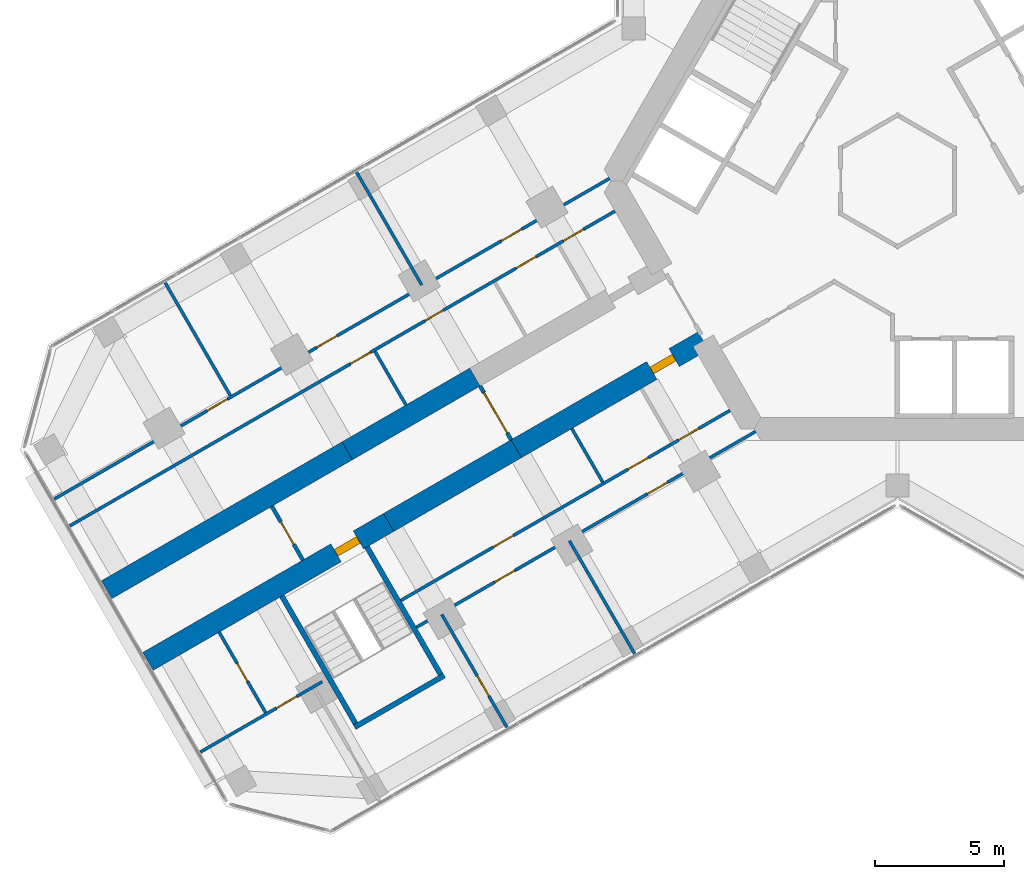
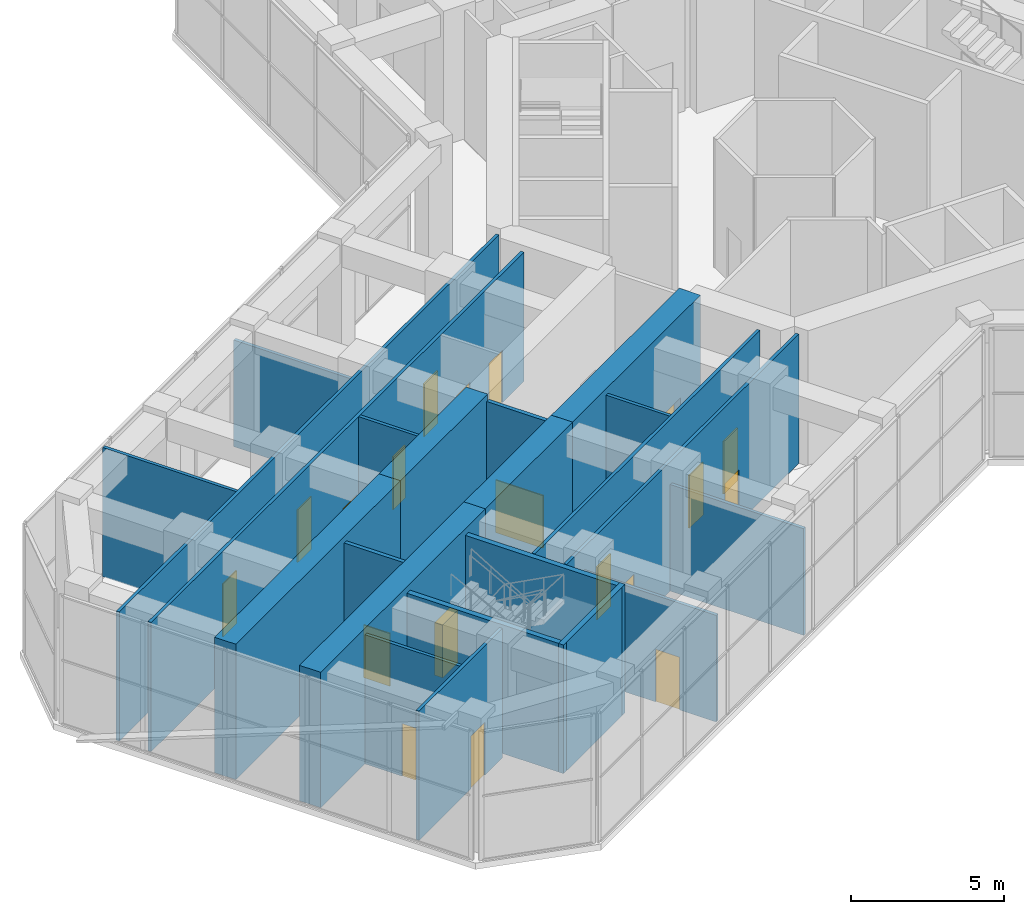
# One storey, part 14 of 20: 22 walls, 19 doors, 19 openings.
"""IFC4 building model written with IfcOpenShell, lengths in metres."""

from ifc_helpers import new_model, si_unit, direction, frame, frame_2d, origin, place, context, subcontext, project, spatial, rectangle, extrude, material, layer, layer_set, type_object, element, fill, save


model = new_model("IFC4")

# Units and contexts
model_context = context("Model", 3, precision=1e-05, world=origin(), true_north=direction((0.0, 1.0)))
body_context = subcontext(model_context, "Body", "Model", "MODEL_VIEW")
ifc_project = project(units=[si_unit("LENGTHUNIT", "METRE"), si_unit("AREAUNIT", "SQUARE_METRE"), si_unit("VOLUMEUNIT", "CUBIC_METRE"), si_unit("PLANEANGLEUNIT", "RADIAN"), si_unit("MASSUNIT", "GRAM", prefix="KILO")], contexts=[model_context])

# Site, building, storey
site_placement = place(None, origin())
site = spatial("IfcSite", under=ifc_project, at=site_placement, CompositionType="ELEMENT")
building_placement = place(site_placement, origin())
building = spatial("IfcBuilding", under=site, at=building_placement, Name="Kosmar Iwan School Tower", CompositionType="ELEMENT")
storey_placement = place(building_placement, frame((0.0, 0.0, 152.60009765625)))
storey = spatial("IfcBuildingStorey", under=building, at=storey_placement, Name="L38", CompositionType="ELEMENT", Elevation=152.60009765625)

# Wall, opening, door
ifc_material_1 = material(Name="Concrete C50/60", Category="concrete")
ifc_layer_1 = layer(ifc_material_1, 0.800048828125)
ifc_layer_set_1 = layer_set([ifc_layer_1], Name="Corridor buttress wall 800")
wall_type_1 = type_object("IfcWallType", Name="Corridor buttress wall 800", PredefinedType="SHEAR", material=ifc_layer_set_1)
wall_1_placement = place(storey_placement, frame((-7.513916015625, -6.185546875, 0.0), z_axis=(0.0, 0.0, 1.0), x_axis=(-0.866019549707, -0.500010139422, 0.0)))
wall_1 = element("IfcWall", 1, at=wall_1_placement, inside=storey, type_object=wall_type_1, Name="Corridor wall BL", PredefinedType="SHEAR", context=body_context, shape_type="SweptSolid", body=[
    extrude(rectangle(XDim=8.349853515625, YDim=0.800048828125, at=frame_2d((4.1748046875, 0.0))), origin(), (0.0, 0.0, 1.0), 5.39990234375),
])
opening_1_placement = place(wall_1_placement, frame((1.300048828125, 0.0, 0.0)))
opening_1 = element("IfcOpeningElement", 2, at=opening_1_placement, cuts=wall_1, Name="Opening D1", PredefinedType="OPENING", context=body_context, shape_type="SweptSolid", body=[
    extrude(rectangle(XDim=1.0, YDim=2.10009765625, at=frame_2d((0.5, 1.050048828125))), frame((0.0, 0.412109375, 0.0), z_axis=(0.0, -1.0, 0.0), x_axis=(1.0, 0.0, 0.0)), (0.0, 0.0, 1.0), 0.823974609375),
])
ifc_material_2 = material(Name="Timber fire door in steel frame", Category="steel")
door_type_1 = type_object("IfcDoorType", Name="Flat entrance door 1000x2100", OperationType="SINGLE_SWING_LEFT", PredefinedType="DOOR", material=ifc_material_2)
door_1_placement = place(opening_1_placement, origin())
door_1 = element("IfcDoor", 3, at=door_1_placement, inside=storey, type_object=door_type_1, Name="Flat L38-BL1 entrance door", OperationType="SINGLE_SWING_RIGHT", OverallHeight=2.10009765625, OverallWidth=1.0, PredefinedType="DOOR", context=body_context, shape_type="SweptSolid", body=[
    extrude(rectangle(XDim=1.0, YDim=2.10009765625, at=frame_2d((0.5, 1.050048828125))), frame((0.0, 0.14990234375, 0.0), z_axis=(0.0, -1.0, 0.0), x_axis=(1.0, 0.0, 0.0)), (0.0, 0.0, 1.0), 0.300048828125),
])
fill(opening_1, door_1)

# Wall
wall_2_placement = place(storey_placement, frame((-14.7451171875, -10.360595703125, 0.0), z_axis=(0.0, 0.0, 1.0), x_axis=(-0.866015111908, -0.50001782563, 0.0)))
element("IfcWall", 4, at=wall_2_placement, inside=storey, type_object=wall_type_1, Name="Corridor wall BL bay 2", PredefinedType="SHEAR", context=body_context, shape_type="SweptSolid", body=[
    extrude(rectangle(XDim=5.699951171875, YDim=0.800048828125, at=frame_2d((2.85009765625, 0.0))), origin(), (0.0, 0.0, 1.0), 5.39990234375),
])

# Wall, opening, door
wall_3_placement = place(storey_placement, frame((-19.681396484375, -13.210693359375, 0.0), z_axis=(0.0, 0.0, 1.0), x_axis=(-0.866028186671, -0.499995179869, 0.0)))
wall_3 = element("IfcWall", 5, at=wall_3_placement, inside=storey, type_object=wall_type_1, Name="Corridor wall BL bay 3", PredefinedType="SHEAR", context=body_context, shape_type="SweptSolid", body=[
    extrude(rectangle(XDim=10.7451171875, YDim=0.800048828125, at=frame_2d((5.37255859375, 0.0))), origin(), (0.0, 0.0, 1.0), 5.39990234375),
])
opening_2_placement = place(wall_3_placement, frame((1.35009765625, 0.0, 0.0)))
opening_2 = element("IfcOpeningElement", 6, at=opening_2_placement, cuts=wall_3, Name="Opening D6", PredefinedType="OPENING", context=body_context, shape_type="SweptSolid", body=[
    extrude(rectangle(XDim=1.0, YDim=2.10009765625, at=frame_2d((0.5, 1.050048828125))), frame((0.0, 0.412109375, 0.0), z_axis=(0.0, -1.0, 0.0), x_axis=(1.0, 0.0, 0.0)), (0.0, 0.0, 1.0), 0.823974609375),
])
ifc_material_3 = material(Name="Steel fire door", Category="steel")
door_type_2 = type_object("IfcDoorType", Name="Stair door 1000x2100", OperationType="SINGLE_SWING_LEFT", PredefinedType="DOOR", material=ifc_material_3)
door_2_placement = place(opening_2_placement, origin())
door_2 = element("IfcDoor", 7, at=door_2_placement, inside=storey, type_object=door_type_2, Name="Stair WS2 door L38", OperationType="SINGLE_SWING_LEFT", OverallHeight=2.10009765625, OverallWidth=1.0, PredefinedType="DOOR", context=body_context, shape_type="SweptSolid", body=[
    extrude(rectangle(XDim=1.0, YDim=2.10009765625, at=frame_2d((0.5, 1.050048828125))), frame((0.0, 0.14990234375, 0.0), z_axis=(0.0, -1.0, 0.0), x_axis=(1.0, 0.0, 0.0)), (0.0, 0.0, 1.0), 0.300048828125),
])
fill(opening_2, door_2)

# Walls
wall_4_placement = place(storey_placement, frame((-16.34521484375, -7.58935546875, 0.0), z_axis=(0.0, 0.0, 1.0), x_axis=(-0.866015111908, -0.50001782563, 0.0)))
element("IfcWall", 8, at=wall_4_placement, inside=storey, type_object=wall_type_1, Name="Corridor wall BR bay 2", PredefinedType="SHEAR", context=body_context, shape_type="SweptSolid", body=[
    extrude(rectangle(XDim=5.699951171875, YDim=0.800048828125, at=frame_2d((2.85009765625, 0.0))), origin(), (0.0, 0.0, 1.0), 5.39990234375),
])
wall_5_placement = place(storey_placement, frame((-21.281494140625, -10.439453125, 0.0), z_axis=(0.0, 0.0, 1.0), x_axis=(-0.866032345022, -0.499987977232, 0.0)))
element("IfcWall", 9, at=wall_5_placement, inside=storey, type_object=wall_type_1, Name="Corridor wall BR bay 3", PredefinedType="SHEAR", context=body_context, shape_type="SweptSolid", body=[
    extrude(rectangle(XDim=10.744873046875, YDim=0.800048828125, at=frame_2d((5.37255859375, 0.0))), origin(), (0.0, 0.0, 1.0), 5.39990234375),
])

# Wall, opening, door
ifc_material_4 = material(Name="Gypsum board on steel studs, fire-rated", Category="steel")
ifc_layer_2 = layer(ifc_material_4, 0.14990234375)
ifc_layer_set_2 = layer_set([ifc_layer_2], Name="Corridor end wall 150")
wall_type_2 = type_object("IfcWallType", Name="Corridor end wall 150", PredefinedType="PARTITIONING", material=ifc_layer_set_2)
wall_6_placement = place(storey_placement, frame((-24.19921875, -12.585693359375, 0.0), z_axis=(0.0, 0.0, 1.0), x_axis=(0.499957262057, -0.866050077142, 0.0)))
wall_6 = element("IfcWall", 10, at=wall_6_placement, inside=storey, type_object=wall_type_2, Name="Partition L38-B-CE", PredefinedType="PARTITIONING", context=body_context, shape_type="SweptSolid", body=[
    extrude(rectangle(XDim=2.400146484375, YDim=0.14990234375, at=frame_2d((1.2001953125, 0.0))), origin(), (0.0, 0.0, 1.0), 5.14990234375),
])
opening_3_placement = place(wall_6_placement, frame((0.699951171875, 0.0, 0.0)))
opening_3 = element("IfcOpeningElement", 11, at=opening_3_placement, cuts=wall_6, Name="Opening D13", PredefinedType="OPENING", context=body_context, shape_type="SweptSolid", body=[
    extrude(rectangle(XDim=1.0, YDim=2.10009765625, at=frame_2d((0.5, 1.050048828125))), frame((0.0, 0.0869140625, 0.0), z_axis=(0.0, -1.0, 0.0), x_axis=(1.0, 0.0, 0.0)), (0.0, 0.0, 1.0), 0.173828125),
])
ifc_material_5 = material(Name="Timber fire door with vision panel", Category="wood")
door_type_3 = type_object("IfcDoorType", Name="Corridor end door 1000x2100", OperationType="SINGLE_SWING_LEFT", PredefinedType="DOOR", material=ifc_material_5)
door_3_placement = place(opening_3_placement, origin())
door_3 = element("IfcDoor", 12, at=door_3_placement, inside=storey, type_object=door_type_3, Name="Laundry and drying room door L38-B", OperationType="SINGLE_SWING_RIGHT", OverallHeight=2.10009765625, OverallWidth=1.0, PredefinedType="DOOR", context=body_context, shape_type="SweptSolid", body=[
    extrude(rectangle(XDim=1.0, YDim=2.10009765625, at=frame_2d((0.5, 1.050048828125))), frame((0.0, 0.02490234375, 0.0), z_axis=(0.0, -1.0, 0.0), x_axis=(1.0, 0.0, 0.0)), (0.0, 0.0, 1.0), 0.050048828125),
])
fill(opening_3, door_3)

wall_7_placement = place(storey_placement, frame((-16.145263671875, -7.935791015625, 0.0), z_axis=(0.0, 0.0, 1.0), x_axis=(0.500077600433, -0.865980596518, 0.0)))
wall_7 = element("IfcWall", 13, at=wall_7_placement, inside=storey, type_object=wall_type_2, Name="Partition L38-B-HW", PredefinedType="PARTITIONING", context=body_context, shape_type="SweptSolid", body=[
    extrude(rectangle(XDim=2.39990234375, YDim=0.14990234375, at=frame_2d((1.199951171875, 0.0))), origin(), (0.0, 0.0, 1.0), 5.14990234375),
])
opening_4_placement = place(wall_7_placement, frame((0.300048828125, 0.0, 0.0)))
opening_4 = element("IfcOpeningElement", 14, at=opening_4_placement, cuts=wall_7, Name="Opening D9", PredefinedType="OPENING", context=body_context, shape_type="SweptSolid", body=[
    extrude(rectangle(XDim=1.800048828125, YDim=2.10009765625, at=frame_2d((0.89990234375, 1.050048828125))), frame((0.0, 0.0869140625, 0.0), z_axis=(0.0, -1.0, 0.0), x_axis=(1.0, 0.0, 0.0)), (0.0, 0.0, 1.0), 0.173828125),
])
ifc_material_6 = material(Name="Steel framed glazed smoke door", Category="steel")
door_type_4 = type_object("IfcDoorType", Name="Corridor smoke door pair 1800x2100", OperationType="DOUBLE_DOOR_DOUBLE_SWING", PredefinedType="DOOR", material=ifc_material_6)
door_4_placement = place(opening_4_placement, origin())
door_4 = element("IfcDoor", 15, at=door_4_placement, inside=storey, type_object=door_type_4, Name="Entrance vestibule smoke doors L38-B", OperationType="DOUBLE_DOOR_DOUBLE_SWING", OverallHeight=2.10009765625, OverallWidth=1.800048828125, PredefinedType="DOOR", context=body_context, shape_type="SweptSolid", body=[
    extrude(rectangle(XDim=1.800048828125, YDim=2.10009765625, at=frame_2d((0.89990234375, 1.050048828125))), frame((0.0, 0.02490234375, 0.0), z_axis=(0.0, -1.0, 0.0), x_axis=(1.0, 0.0, 0.0)), (0.0, 0.0, 1.0), 0.050048828125),
])
fill(opening_4, door_4)

# Wall, openings, doors
ifc_material_7 = material(Name="Gypsum board on steel studs", Category="steel")
ifc_layer_3 = layer(ifc_material_7, 0.1201171875)
ifc_layer_set_3 = layer_set([ifc_layer_3], Name="Dwelling partition 120")
wall_type_3 = type_object("IfcWallType", Name="Dwelling partition 120", PredefinedType="PARTITIONING", material=ifc_layer_set_3)
wall_8_placement = place(storey_placement, frame((-6.478515625, -8.87890625, 0.0), z_axis=(0.0, 0.0, 1.0), x_axis=(-0.866032090307, -0.499988418424, 0.0)))
wall_8 = element("IfcWall", 16, at=wall_8_placement, inside=storey, type_object=wall_type_3, Name="Partition L38-BL1-W1", PredefinedType="PARTITIONING", context=body_context, shape_type="SweptSolid", body=[
    extrude(rectangle(XDim=14.699951171875, YDim=0.1201171875, at=frame_2d((7.35009765625, 0.0))), origin(), (0.0, 0.0, 1.0), 5.14990234375),
])
opening_5_placement = place(wall_8_placement, frame((1.39990234375, 0.0, 0.0)))
opening_5 = element("IfcOpeningElement", 17, at=opening_5_placement, cuts=wall_8, Name="Opening D2", PredefinedType="OPENING", context=body_context, shape_type="SweptSolid", body=[
    extrude(rectangle(XDim=0.89990234375, YDim=2.10009765625, at=frame_2d((0.449951171875, 1.050048828125))), frame((0.0, 0.072021484375, 0.0), z_axis=(0.0, -1.0, 0.0), x_axis=(1.0, 0.0, 0.0)), (0.0, 0.0, 1.0), 0.14404296875),
])
opening_6_placement = place(wall_8_placement, frame((3.64990234375, 0.0, 0.0)))
opening_6 = element("IfcOpeningElement", 18, at=opening_6_placement, cuts=wall_8, Name="Opening D2", PredefinedType="OPENING", context=body_context, shape_type="SweptSolid", body=[
    extrude(rectangle(XDim=0.89990234375, YDim=2.10009765625, at=frame_2d((0.449951171875, 1.050048828125))), frame((0.0, 0.072021484375, 0.0), z_axis=(0.0, -1.0, 0.0), x_axis=(1.0, 0.0, 0.0)), (0.0, 0.0, 1.0), 0.14404296875),
])
opening_7_placement = place(wall_8_placement, frame((9.675048828125, 0.0, 0.0)))
opening_7 = element("IfcOpeningElement", 19, at=opening_7_placement, cuts=wall_8, Name="Opening D2", PredefinedType="OPENING", context=body_context, shape_type="SweptSolid", body=[
    extrude(rectangle(XDim=0.89990234375, YDim=2.10009765625, at=frame_2d((0.449951171875, 1.050048828125))), frame((0.0, 0.072021484375, 0.0), z_axis=(0.0, -1.0, 0.0), x_axis=(1.0, 0.0, 0.0)), (0.0, 0.0, 1.0), 0.14404296875),
])
ifc_material_8 = material(Name="Timber door in timber frame", Category="wood")
door_type_5 = type_object("IfcDoorType", Name="Internal door 900x2100", OperationType="SINGLE_SWING_LEFT", PredefinedType="DOOR", material=ifc_material_8)
door_5_placement = place(opening_5_placement, frame((0.89990234375, 0.0, 0.0), z_axis=(0.0, 0.0, 1.0), x_axis=(-1.0, 0.0, 0.0)))
door_5 = element("IfcDoor", 20, at=door_5_placement, inside=storey, type_object=door_type_5, Name="Entrance hall door L38-BL1-S1", OperationType="SINGLE_SWING_RIGHT", OverallHeight=2.10009765625, OverallWidth=0.89990234375, PredefinedType="DOOR", context=body_context, shape_type="SweptSolid", body=[
    extrude(rectangle(XDim=0.89990234375, YDim=2.10009765625, at=frame_2d((0.449951171875, 1.050048828125))), frame((0.0, 0.02490234375, 0.0), z_axis=(0.0, -1.0, 0.0), x_axis=(1.0, 0.0, 0.0)), (0.0, 0.0, 1.0), 0.050048828125),
])
fill(opening_5, door_5)
door_6_placement = place(opening_6_placement, origin())
door_6 = element("IfcDoor", 21, at=door_6_placement, inside=storey, type_object=door_type_5, Name="Garden store door L38-BL1-S2", OperationType="SINGLE_SWING_LEFT", OverallHeight=2.10009765625, OverallWidth=0.89990234375, PredefinedType="DOOR", context=body_context, shape_type="SweptSolid", body=[
    extrude(rectangle(XDim=0.89990234375, YDim=2.10009765625, at=frame_2d((0.449951171875, 1.050048828125))), frame((0.0, 0.02490234375, 0.0), z_axis=(0.0, -1.0, 0.0), x_axis=(1.0, 0.0, 0.0)), (0.0, 0.0, 1.0), 0.050048828125),
])
fill(opening_6, door_6)
door_7_placement = place(opening_7_placement, origin())
door_7 = element("IfcDoor", 22, at=door_7_placement, inside=storey, type_object=door_type_5, Name="Accessible toilet door L38-BL1-S3", OperationType="SINGLE_SWING_RIGHT", OverallHeight=2.10009765625, OverallWidth=0.89990234375, PredefinedType="DOOR", context=body_context, shape_type="SweptSolid", body=[
    extrude(rectangle(XDim=0.89990234375, YDim=2.10009765625, at=frame_2d((0.449951171875, 1.050048828125))), frame((0.0, 0.02490234375, 0.0), z_axis=(0.0, -1.0, 0.0), x_axis=(1.0, 0.0, 0.0)), (0.0, 0.0, 1.0), 0.050048828125),
])
fill(opening_7, door_7)

wall_9_placement = place(storey_placement, frame((-5.48876953125, -9.693115234375, 0.0), z_axis=(0.0, 0.0, 1.0), x_axis=(-0.866028061085, -0.499995397393, 0.0)))
wall_9 = element("IfcWall", 23, at=wall_9_placement, inside=storey, type_object=wall_type_3, Name="Partition L38-BL1-W2", PredefinedType="PARTITIONING", context=body_context, shape_type="SweptSolid", body=[
    extrude(rectangle(XDim=15.150146484375, YDim=0.1201171875, at=frame_2d((7.5751953125, 0.0))), origin(), (0.0, 0.0, 1.0), 5.14990234375),
])
opening_8_placement = place(wall_9_placement, frame((3.925048828125, 0.0, 0.0)))
opening_8 = element("IfcOpeningElement", 24, at=opening_8_placement, cuts=wall_9, Name="Opening D2", PredefinedType="OPENING", context=body_context, shape_type="SweptSolid", body=[
    extrude(rectangle(XDim=0.89990234375, YDim=2.10009765625, at=frame_2d((0.449951171875, 1.050048828125))), frame((0.0, 0.072021484375, 0.0), z_axis=(0.0, -1.0, 0.0), x_axis=(1.0, 0.0, 0.0)), (0.0, 0.0, 1.0), 0.14404296875),
])
opening_9_placement = place(wall_9_placement, frame((10.75, 0.0, 0.0)))
opening_9 = element("IfcOpeningElement", 25, at=opening_9_placement, cuts=wall_9, Name="Opening D2", PredefinedType="OPENING", context=body_context, shape_type="SweptSolid", body=[
    extrude(rectangle(XDim=0.89990234375, YDim=2.10009765625, at=frame_2d((0.449951171875, 1.050048828125))), frame((0.0, 0.072021484375, 0.0), z_axis=(0.0, -1.0, 0.0), x_axis=(1.0, 0.0, 0.0)), (0.0, 0.0, 1.0), 0.14404296875),
])
door_8_placement = place(opening_8_placement, origin())
door_8 = element("IfcDoor", 26, at=door_8_placement, inside=storey, type_object=door_type_5, Name="Winter garden door L38-BL1-F1", OperationType="SINGLE_SWING_LEFT", OverallHeight=2.10009765625, OverallWidth=0.89990234375, PredefinedType="DOOR", context=body_context, shape_type="SweptSolid", body=[
    extrude(rectangle(XDim=0.89990234375, YDim=2.10009765625, at=frame_2d((0.449951171875, 1.050048828125))), frame((0.0, 0.02490234375, 0.0), z_axis=(0.0, -1.0, 0.0), x_axis=(1.0, 0.0, 0.0)), (0.0, 0.0, 1.0), 0.050048828125),
])
fill(opening_8, door_8)
door_9_placement = place(opening_9_placement, origin())
door_9 = element("IfcDoor", 27, at=door_9_placement, inside=storey, type_object=door_type_5, Name="Children's play room door L38-BL1-F2", OperationType="SINGLE_SWING_RIGHT", OverallHeight=2.10009765625, OverallWidth=0.89990234375, PredefinedType="DOOR", context=body_context, shape_type="SweptSolid", body=[
    extrude(rectangle(XDim=0.89990234375, YDim=2.10009765625, at=frame_2d((0.449951171875, 1.050048828125))), frame((0.0, 0.02490234375, 0.0), z_axis=(0.0, -1.0, 0.0), x_axis=(1.0, 0.0, 0.0)), (0.0, 0.0, 1.0), 0.050048828125),
])
fill(opening_9, door_9)

# Walls
wall_10_placement = place(storey_placement, frame((-12.690185546875, -13.919921875, 0.0), z_axis=(0.0, 0.0, 1.0), x_axis=(0.499998066894, -0.866026519861, 0.0)))
element("IfcWall", 28, at=wall_10_placement, inside=storey, type_object=wall_type_3, Name="Partition L38-BL1-X1", PredefinedType="PARTITIONING", context=body_context, shape_type="SweptSolid", body=[
    extrude(rectangle(XDim=5.03515625, YDim=0.1201171875, at=frame_2d((2.517578125, 0.0))), origin(), (0.0, 0.0, 1.0), 4.25),
])
wall_11_placement = place(storey_placement, frame((-12.5966796875, -9.58203125, 0.0), z_axis=(0.0, 0.0, 1.0), x_axis=(0.500017192868, -0.86601547725, 0.0)))
element("IfcWall", 29, at=wall_11_placement, inside=storey, type_object=wall_type_3, Name="Partition L38-BL1-Y2", PredefinedType="PARTITIONING", context=body_context, shape_type="SweptSolid", body=[
    extrude(rectangle(XDim=2.39013671875, YDim=0.1201171875, at=frame_2d((1.195068359375, 0.0))), origin(), (0.0, 0.0, 1.0), 5.14990234375),
])

# Wall, opening, door
wall_12_placement = place(storey_placement, frame((-17.62646484375, -16.77001953125, 0.0), z_axis=(0.0, 0.0, 1.0), x_axis=(0.500019063067, -0.866014397438, 0.0)))
wall_12 = element("IfcWall", 30, at=wall_12_placement, inside=storey, type_object=wall_type_3, Name="Partition L38-BL1-TB", PredefinedType="PARTITIONING", context=body_context, shape_type="SweptSolid", body=[
    extrude(rectangle(XDim=5.034912109375, YDim=0.1201171875, at=frame_2d((2.517578125, 0.0))), origin(), (0.0, 0.0, 1.0), 4.25),
])
opening_10_placement = place(wall_12_placement, frame((2.739990234375, 0.0, 0.0)))
opening_10 = element("IfcOpeningElement", 31, at=opening_10_placement, cuts=wall_12, Name="Opening D2", PredefinedType="OPENING", context=body_context, shape_type="SweptSolid", body=[
    extrude(rectangle(XDim=0.89990234375, YDim=2.10009765625, at=frame_2d((0.449951171875, 1.050048828125))), frame((0.0, 0.072021484375, 0.0), z_axis=(0.0, -1.0, 0.0), x_axis=(1.0, 0.0, 0.0)), (0.0, 0.0, 1.0), 0.14404296875),
])
door_10_placement = place(opening_10_placement, origin())
door_10 = element("IfcDoor", 32, at=door_10_placement, inside=storey, type_object=door_type_5, Name="Children's play room door L38-BL1-F2", OperationType="SINGLE_SWING_RIGHT", OverallHeight=2.10009765625, OverallWidth=0.89990234375, PredefinedType="DOOR", context=body_context, shape_type="SweptSolid", body=[
    extrude(rectangle(XDim=0.89990234375, YDim=2.10009765625, at=frame_2d((0.449951171875, 1.050048828125))), frame((0.0, 0.02490234375, 0.0), z_axis=(0.0, -1.0, 0.0), x_axis=(1.0, 0.0, 0.0)), (0.0, 0.0, 1.0), 0.050048828125),
])
fill(opening_10, door_10)

wall_13_placement = place(storey_placement, frame((-22.246337890625, -19.3681640625, 0.0), z_axis=(0.0, 0.0, 1.0), x_axis=(-0.866035508231, -0.499982498177, 0.0)))
wall_13 = element("IfcWall", 33, at=wall_13_placement, inside=storey, type_object=wall_type_3, Name="Partition L38-BL1-TW", PredefinedType="PARTITIONING", context=body_context, shape_type="SweptSolid", body=[
    extrude(rectangle(XDim=5.445068359375, YDim=0.1201171875, at=frame_2d((2.72265625, 0.0))), origin(), (0.0, 0.0, 1.0), 5.14990234375),
])
opening_11_placement = place(wall_13_placement, frame((1.14990234375, 0.0, 0.0)))
opening_11 = element("IfcOpeningElement", 34, at=opening_11_placement, cuts=wall_13, Name="Opening D2", PredefinedType="OPENING", context=body_context, shape_type="SweptSolid", body=[
    extrude(rectangle(XDim=0.89990234375, YDim=2.10009765625, at=frame_2d((0.449951171875, 1.050048828125))), frame((0.0, 0.072021484375, 0.0), z_axis=(0.0, -1.0, 0.0), x_axis=(1.0, 0.0, 0.0)), (0.0, 0.0, 1.0), 0.14404296875),
])
door_11_placement = place(opening_11_placement, origin())
door_11 = element("IfcDoor", 35, at=door_11_placement, inside=storey, type_object=door_type_5, Name="Laundry room door L38-BL1-T3", OperationType="SINGLE_SWING_LEFT", OverallHeight=2.10009765625, OverallWidth=0.89990234375, PredefinedType="DOOR", context=body_context, shape_type="SweptSolid", body=[
    extrude(rectangle(XDim=0.89990234375, YDim=2.10009765625, at=frame_2d((0.449951171875, 1.050048828125))), frame((0.0, 0.02490234375, 0.0), z_axis=(0.0, -1.0, 0.0), x_axis=(1.0, 0.0, 0.0)), (0.0, 0.0, 1.0), 0.050048828125),
])
fill(opening_11, door_11)

wall_14_placement = place(storey_placement, frame((-26.236572265625, -17.45703125, 0.0), z_axis=(0.0, 0.0, 1.0), x_axis=(0.50002266109, -0.866012320003, 0.0)))
wall_14 = element("IfcWall", 36, at=wall_14_placement, inside=storey, type_object=wall_type_3, Name="Partition L38-BL1-TY", PredefinedType="PARTITIONING", context=body_context, shape_type="SweptSolid", body=[
    extrude(rectangle(XDim=3.590087890625, YDim=0.1201171875, at=frame_2d((1.794921875, 0.0))), origin(), (0.0, 0.0, 1.0), 5.14990234375),
])
opening_12_placement = place(wall_14_placement, frame((1.39501953125, 0.0, 0.0)))
opening_12 = element("IfcOpeningElement", 37, at=opening_12_placement, cuts=wall_14, Name="Opening D3", PredefinedType="OPENING", context=body_context, shape_type="SweptSolid", body=[
    extrude(rectangle(XDim=0.800048828125, YDim=2.10009765625, at=frame_2d((0.39990234375, 1.050048828125))), frame((0.0, 0.072021484375, 0.0), z_axis=(0.0, -1.0, 0.0), x_axis=(1.0, 0.0, 0.0)), (0.0, 0.0, 1.0), 0.14404296875),
])
ifc_material_9 = material(Name="Timber door in timber frame", Category="wood")
door_type_6 = type_object("IfcDoorType", Name="Sanitary room door 800x2100", OperationType="SINGLE_SWING_LEFT", PredefinedType="DOOR", material=ifc_material_9)
door_12_placement = place(opening_12_placement, origin())
door_12 = element("IfcDoor", 38, at=door_12_placement, inside=storey, type_object=door_type_6, Name="Garden store door L38-BL1-T4", OperationType="SINGLE_SWING_RIGHT", OverallHeight=2.10009765625, OverallWidth=0.800048828125, PredefinedType="DOOR", context=body_context, shape_type="SweptSolid", body=[
    extrude(rectangle(XDim=0.800048828125, YDim=2.10009765625, at=frame_2d((0.39990234375, 1.050048828125))), frame((0.0, 0.02490234375, 0.0), z_axis=(0.0, -1.0, 0.0), x_axis=(1.0, 0.0, 0.0)), (0.0, 0.0, 1.0), 0.050048828125),
])
fill(opening_12, door_12)

# Wall, openings, doors
wall_15_placement = place(storey_placement, frame((-10.928466796875, -1.171142578125, 0.0), z_axis=(0.0, 0.0, 1.0), x_axis=(-0.866024598474, -0.500001394837, 0.0)))
wall_15 = element("IfcWall", 39, at=wall_15_placement, inside=storey, type_object=wall_type_3, Name="Partition L38-BR1-W1", PredefinedType="PARTITIONING", context=body_context, shape_type="SweptSolid", body=[
    extrude(rectangle(XDim=24.34521484375, YDim=0.1201171875, at=frame_2d((12.172607421875, 0.0))), origin(), (0.0, 0.0, 1.0), 5.14990234375),
])
opening_13_placement = place(wall_15_placement, frame((1.39990234375, 0.0, 0.0)))
opening_13 = element("IfcOpeningElement", 40, at=opening_13_placement, cuts=wall_15, Name="Opening D2", PredefinedType="OPENING", context=body_context, shape_type="SweptSolid", body=[
    extrude(rectangle(XDim=0.89990234375, YDim=2.10009765625, at=frame_2d((0.449951171875, 1.050048828125))), frame((0.0, 0.072021484375, 0.0), z_axis=(0.0, -1.0, 0.0), x_axis=(1.0, 0.0, 0.0)), (0.0, 0.0, 1.0), 0.14404296875),
])
opening_14_placement = place(wall_15_placement, frame((3.52490234375, 0.0, 0.0)))
opening_14 = element("IfcOpeningElement", 41, at=opening_14_placement, cuts=wall_15, Name="Opening D2", PredefinedType="OPENING", context=body_context, shape_type="SweptSolid", body=[
    extrude(rectangle(XDim=0.89990234375, YDim=2.10009765625, at=frame_2d((0.449951171875, 1.050048828125))), frame((0.0, 0.072021484375, 0.0), z_axis=(0.0, -1.0, 0.0), x_axis=(1.0, 0.0, 0.0)), (0.0, 0.0, 1.0), 0.14404296875),
])
opening_15_placement = place(wall_15_placement, frame((7.675048828125, 0.0, 0.0)))
opening_15 = element("IfcOpeningElement", 42, at=opening_15_placement, cuts=wall_15, Name="Opening D3", PredefinedType="OPENING", context=body_context, shape_type="SweptSolid", body=[
    extrude(rectangle(XDim=0.800048828125, YDim=2.10009765625, at=frame_2d((0.39990234375, 1.050048828125))), frame((0.0, 0.072021484375, 0.0), z_axis=(0.0, -1.0, 0.0), x_axis=(1.0, 0.0, 0.0)), (0.0, 0.0, 1.0), 0.14404296875),
])
opening_16_placement = place(wall_15_placement, frame((10.909912109375, 0.0, 0.0)))
opening_16 = element("IfcOpeningElement", 43, at=opening_16_placement, cuts=wall_15, Name="Opening D2", PredefinedType="OPENING", context=body_context, shape_type="SweptSolid", body=[
    extrude(rectangle(XDim=0.89990234375, YDim=2.10009765625, at=frame_2d((0.449951171875, 1.050048828125))), frame((0.0, 0.072021484375, 0.0), z_axis=(0.0, -1.0, 0.0), x_axis=(1.0, 0.0, 0.0)), (0.0, 0.0, 1.0), 0.14404296875),
])
door_13_placement = place(opening_13_placement, origin())
door_13 = element("IfcDoor", 44, at=door_13_placement, inside=storey, type_object=door_type_5, Name="Entrance hall door L38-BR1-S1", OperationType="SINGLE_SWING_RIGHT", OverallHeight=2.10009765625, OverallWidth=0.89990234375, PredefinedType="DOOR", context=body_context, shape_type="SweptSolid", body=[
    extrude(rectangle(XDim=0.89990234375, YDim=2.10009765625, at=frame_2d((0.449951171875, 1.050048828125))), frame((0.0, 0.02490234375, 0.0), z_axis=(0.0, -1.0, 0.0), x_axis=(1.0, 0.0, 0.0)), (0.0, 0.0, 1.0), 0.050048828125),
])
fill(opening_13, door_13)
door_14_placement = place(opening_14_placement, origin())
door_14 = element("IfcDoor", 45, at=door_14_placement, inside=storey, type_object=door_type_5, Name="Changing room door L38-BR1-S2", OperationType="SINGLE_SWING_RIGHT", OverallHeight=2.10009765625, OverallWidth=0.89990234375, PredefinedType="DOOR", context=body_context, shape_type="SweptSolid", body=[
    extrude(rectangle(XDim=0.89990234375, YDim=2.10009765625, at=frame_2d((0.449951171875, 1.050048828125))), frame((0.0, 0.02490234375, 0.0), z_axis=(0.0, -1.0, 0.0), x_axis=(1.0, 0.0, 0.0)), (0.0, 0.0, 1.0), 0.050048828125),
])
fill(opening_14, door_14)
door_15_placement = place(opening_16_placement, origin())
door_15 = element("IfcDoor", 46, at=door_15_placement, inside=storey, type_object=door_type_5, Name="Garden store door L38-BR1-S4", OperationType="SINGLE_SWING_LEFT", OverallHeight=2.10009765625, OverallWidth=0.89990234375, PredefinedType="DOOR", context=body_context, shape_type="SweptSolid", body=[
    extrude(rectangle(XDim=0.89990234375, YDim=2.10009765625, at=frame_2d((0.449951171875, 1.050048828125))), frame((0.0, 0.02490234375, 0.0), z_axis=(0.0, -1.0, 0.0), x_axis=(1.0, 0.0, 0.0)), (0.0, 0.0, 1.0), 0.050048828125),
])
fill(opening_16, door_15)
door_16_placement = place(opening_15_placement, origin())
door_16 = element("IfcDoor", 47, at=door_16_placement, inside=storey, type_object=door_type_6, Name="Shower room door L38-BR1-S3", OperationType="SINGLE_SWING_LEFT", OverallHeight=2.10009765625, OverallWidth=0.800048828125, PredefinedType="DOOR", context=body_context, shape_type="SweptSolid", body=[
    extrude(rectangle(XDim=0.800048828125, YDim=2.10009765625, at=frame_2d((0.39990234375, 1.050048828125))), frame((0.0, 0.02490234375, 0.0), z_axis=(0.0, -1.0, 0.0), x_axis=(1.0, 0.0, 0.0)), (0.0, 0.0, 1.0), 0.050048828125),
])
fill(opening_15, door_16)

wall_16_placement = place(storey_placement, frame((-11.138916015625, 0.093017578125, 0.0), z_axis=(0.0, 0.0, 1.0), x_axis=(-0.866026536093, -0.499998038779, 0.0)))
wall_16 = element("IfcWall", 48, at=wall_16_placement, inside=storey, type_object=wall_type_3, Name="Partition L38-BR1-W2", PredefinedType="PARTITIONING", context=body_context, shape_type="SweptSolid", body=[
    extrude(rectangle(XDim=24.794921875, YDim=0.1201171875, at=frame_2d((12.3974609375, 0.0))), origin(), (0.0, 0.0, 1.0), 5.14990234375),
])
opening_17_placement = place(wall_16_placement, frame((3.925048828125, 0.0, 0.0)))
opening_17 = element("IfcOpeningElement", 49, at=opening_17_placement, cuts=wall_16, Name="Opening D2", PredefinedType="OPENING", context=body_context, shape_type="SweptSolid", body=[
    extrude(rectangle(XDim=0.89990234375, YDim=2.10009765625, at=frame_2d((0.449951171875, 1.050048828125))), frame((0.0, 0.072021484375, 0.0), z_axis=(0.0, -1.0, 0.0), x_axis=(1.0, 0.0, 0.0)), (0.0, 0.0, 1.0), 0.14404296875),
])
opening_18_placement = place(wall_16_placement, frame((12.175048828125, 0.0, 0.0)))
opening_18 = element("IfcOpeningElement", 50, at=opening_18_placement, cuts=wall_16, Name="Opening D2", PredefinedType="OPENING", context=body_context, shape_type="SweptSolid", body=[
    extrude(rectangle(XDim=0.89990234375, YDim=2.10009765625, at=frame_2d((0.449951171875, 1.050048828125))), frame((0.0, 0.072021484375, 0.0), z_axis=(0.0, -1.0, 0.0), x_axis=(1.0, 0.0, 0.0)), (0.0, 0.0, 1.0), 0.14404296875),
])
opening_19_placement = place(wall_16_placement, frame((17.06005859375, 0.0, 0.0)))
opening_19 = element("IfcOpeningElement", 51, at=opening_19_placement, cuts=wall_16, Name="Opening D2", PredefinedType="OPENING", context=body_context, shape_type="SweptSolid", body=[
    extrude(rectangle(XDim=0.89990234375, YDim=2.10009765625, at=frame_2d((0.449951171875, 1.050048828125))), frame((0.0, 0.072021484375, 0.0), z_axis=(0.0, -1.0, 0.0), x_axis=(1.0, 0.0, 0.0)), (0.0, 0.0, 1.0), 0.14404296875),
])
door_17_placement = place(opening_17_placement, origin())
door_17 = element("IfcDoor", 52, at=door_17_placement, inside=storey, type_object=door_type_5, Name="Fitness room door L38-BR1-F1", OperationType="SINGLE_SWING_LEFT", OverallHeight=2.10009765625, OverallWidth=0.89990234375, PredefinedType="DOOR", context=body_context, shape_type="SweptSolid", body=[
    extrude(rectangle(XDim=0.89990234375, YDim=2.10009765625, at=frame_2d((0.449951171875, 1.050048828125))), frame((0.0, 0.02490234375, 0.0), z_axis=(0.0, -1.0, 0.0), x_axis=(1.0, 0.0, 0.0)), (0.0, 0.0, 1.0), 0.050048828125),
])
fill(opening_17, door_17)
door_18_placement = place(opening_18_placement, origin())
door_18 = element("IfcDoor", 53, at=door_18_placement, inside=storey, type_object=door_type_5, Name="Exercise studio door L38-BR1-F2", OperationType="SINGLE_SWING_LEFT", OverallHeight=2.10009765625, OverallWidth=0.89990234375, PredefinedType="DOOR", context=body_context, shape_type="SweptSolid", body=[
    extrude(rectangle(XDim=0.89990234375, YDim=2.10009765625, at=frame_2d((0.449951171875, 1.050048828125))), frame((0.0, 0.02490234375, 0.0), z_axis=(0.0, -1.0, 0.0), x_axis=(1.0, 0.0, 0.0)), (0.0, 0.0, 1.0), 0.050048828125),
])
fill(opening_18, door_18)
door_19_placement = place(opening_19_placement, origin())
door_19 = element("IfcDoor", 54, at=door_19_placement, inside=storey, type_object=door_type_5, Name="Winter garden door L38-BR1-F3", OperationType="SINGLE_SWING_RIGHT", OverallHeight=2.10009765625, OverallWidth=0.89990234375, PredefinedType="DOOR", context=body_context, shape_type="SweptSolid", body=[
    extrude(rectangle(XDim=0.89990234375, YDim=2.10009765625, at=frame_2d((0.449951171875, 1.050048828125))), frame((0.0, 0.02490234375, 0.0), z_axis=(0.0, -1.0, 0.0), x_axis=(1.0, 0.0, 0.0)), (0.0, 0.0, 1.0), 0.050048828125),
])
fill(opening_19, door_19)

# Walls
wall_17_placement = place(storey_placement, frame((-18.400146484375, -4.030029296875, 0.0), z_axis=(0.0, 0.0, 1.0), x_axis=(-0.499998066894, 0.866026519861, 0.0)))
element("IfcWall", 55, at=wall_17_placement, inside=storey, type_object=wall_type_3, Name="Partition L38-BR1-X1", PredefinedType="PARTITIONING", context=body_context, shape_type="SweptSolid", body=[
    extrude(rectangle(XDim=5.03515625, YDim=0.1201171875, at=frame_2d((2.517578125, 0.0))), origin(), (0.0, 0.0, 1.0), 4.25),
])
wall_18_placement = place(storey_placement, frame((-25.8046875, -8.304931640625, 0.0), z_axis=(0.0, 0.0, 1.0), x_axis=(-0.500019063067, 0.866014397438, 0.0)))
element("IfcWall", 56, at=wall_18_placement, inside=storey, type_object=wall_type_3, Name="Partition L38-BR1-X2", PredefinedType="PARTITIONING", context=body_context, shape_type="SweptSolid", body=[
    extrude(rectangle(XDim=5.034912109375, YDim=0.1201171875, at=frame_2d((2.517578125, 0.0))), origin(), (0.0, 0.0, 1.0), 5.14990234375),
])
wall_19_placement = place(storey_placement, frame((-19.013427734375, -8.66796875, 0.0), z_axis=(0.0, 0.0, 1.0), x_axis=(-0.499940577336, 0.866059708757, 0.0)))
element("IfcWall", 57, at=wall_19_placement, inside=storey, type_object=wall_type_3, Name="Partition L38-BR1-Y3", PredefinedType="PARTITIONING", context=body_context, shape_type="SweptSolid", body=[
    extrude(rectangle(XDim=2.389892578125, YDim=0.1201171875, at=frame_2d((1.19482421875, 0.0))), origin(), (0.0, 0.0, 1.0), 5.14990234375),
])
ifc_material_10 = material(Name="Concrete C35/45", Category="concrete")
ifc_layer_4 = layer(ifc_material_10, 0.199951171875)
ifc_layer_set_4 = layer_set([ifc_layer_4], Name="Escape stair wall 200")
wall_type_4 = type_object("IfcWallType", Name="Escape stair wall 200", PredefinedType="SHEAR", material=ifc_layer_set_4)
wall_20_placement = place(storey_placement, frame((-20.520751953125, -14.156982421875, 0.0), z_axis=(0.0, 0.0, 1.0), x_axis=(0.499988710057, -0.866031921938, 0.0)))
element("IfcWall", 58, at=wall_20_placement, inside=storey, type_object=wall_type_4, Name="Stair WS2 wall", PredefinedType="SHEAR", context=body_context, shape_type="SweptSolid", body=[
    extrude(rectangle(XDim=5.900146484375, YDim=0.199951171875, at=frame_2d((2.9501953125, 0.0))), origin(), (0.0, 0.0, 1.0), 5.1298828125),
])
wall_21_placement = place(storey_placement, frame((-23.8115234375, -16.05712890625, 0.0), z_axis=(0.0, 0.0, 1.0), x_axis=(0.500006628179, -0.86602157697, 0.0)))
element("IfcWall", 59, at=wall_21_placement, inside=storey, type_object=wall_type_4, Name="Stair WS2 wall", PredefinedType="SHEAR", context=body_context, shape_type="SweptSolid", body=[
    extrude(rectangle(XDim=5.89990234375, YDim=0.199951171875, at=frame_2d((2.949951171875, 0.0))), origin(), (0.0, 0.0, 1.0), 5.1298828125),
])
wall_22_placement = place(storey_placement, frame((-17.5341796875, -19.1298828125, 0.0), z_axis=(0.0, 0.0, 1.0), x_axis=(-0.866026010844, -0.49999894854, 0.0)))
element("IfcWall", 60, at=wall_22_placement, inside=storey, type_object=wall_type_4, Name="Stair WS2 wall", PredefinedType="SHEAR", context=body_context, shape_type="SweptSolid", body=[
    extrude(rectangle(XDim=4.0, YDim=0.199951171875, at=frame_2d((2.0, 0.0))), origin(), (0.0, 0.0, 1.0), 5.1298828125),
])

save(model, "model.ifc")
